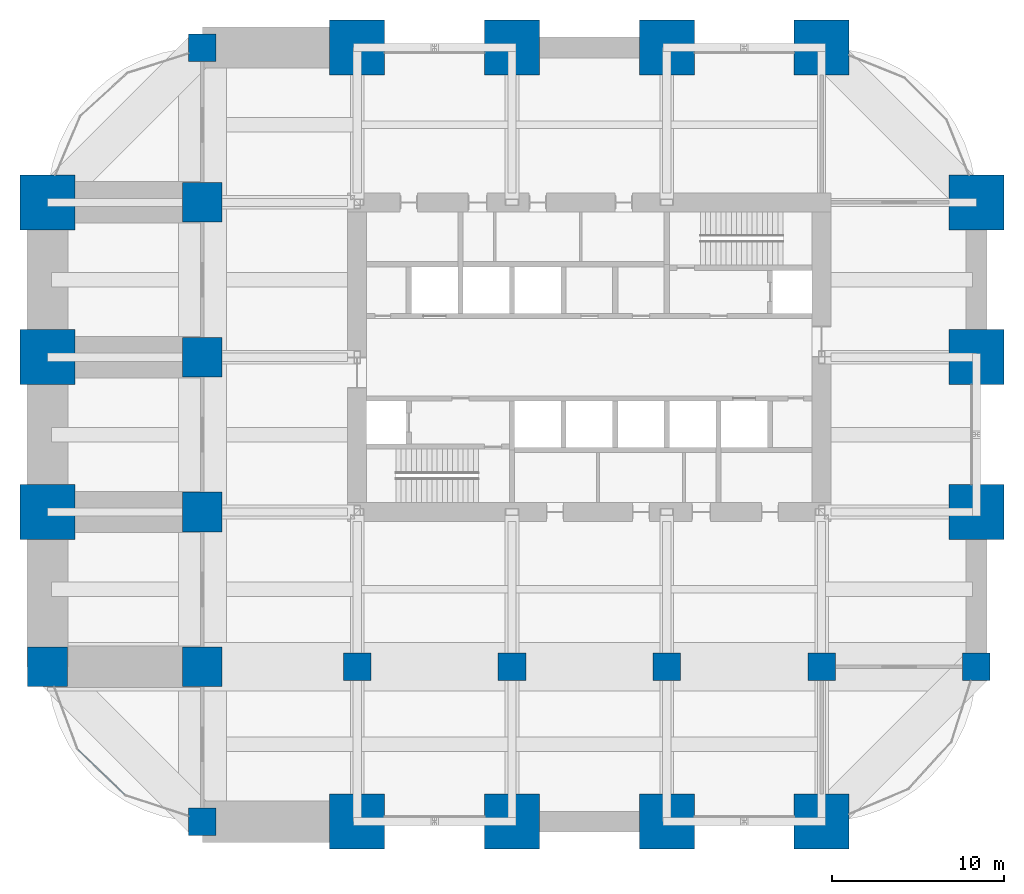
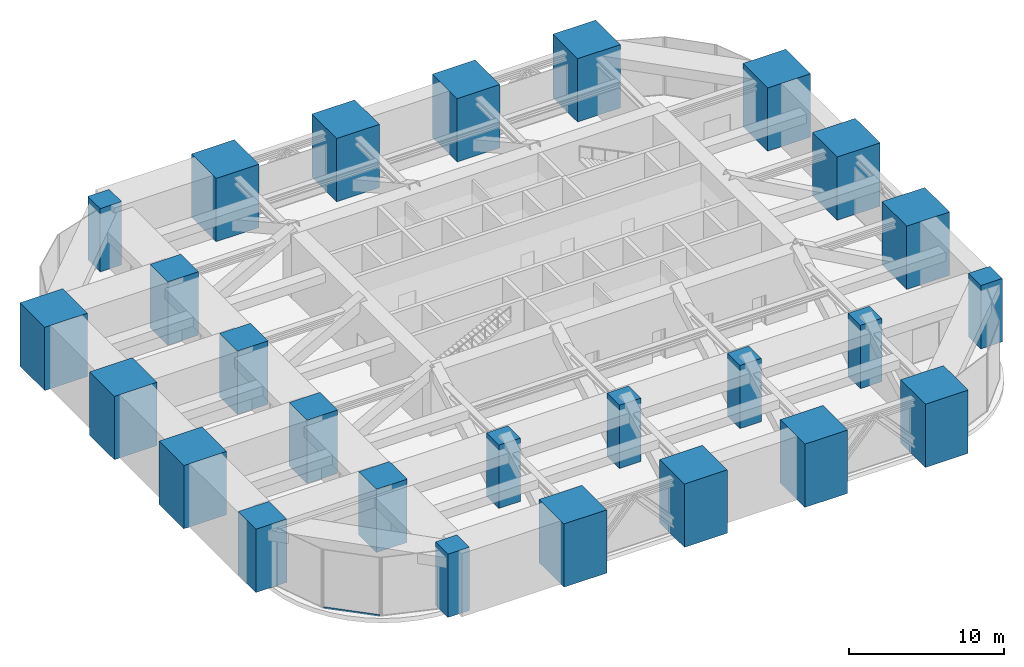
# One storey, part 1 of 32: 26 columns, 1 member, 1 element without a shape of its own.
"""IFC4 building model written with IfcOpenShell, lengths in metres."""

from ifc_helpers import new_model, si_unit, direction, frame, origin, origin_2d, place, context, subcontext, project, spatial, rectangle, hollow_rectangle, extrude, material, material_profile, profile_set, type_object, element, aggregate, save


model = new_model("IFC4")

# Units and contexts
model_context = context("Model", 3, precision=1e-05, world=origin(), true_north=direction((0.0, 1.0)))
body_context = subcontext(model_context, "Body", "Model", "MODEL_VIEW")
ifc_project = project(units=[si_unit("LENGTHUNIT", "METRE"), si_unit("AREAUNIT", "SQUARE_METRE"), si_unit("VOLUMEUNIT", "CUBIC_METRE"), si_unit("PLANEANGLEUNIT", "RADIAN"), si_unit("MASSUNIT", "GRAM", prefix="KILO")], contexts=[model_context])

# Site, building, storey
site_placement = place(None, origin())
site = spatial("IfcSite", under=ifc_project, at=site_placement, CompositionType="ELEMENT")
building_placement = place(site_placement, origin())
building = spatial("IfcBuilding", under=site, at=building_placement, Name="Zorevar Civic Tower", CompositionType="ELEMENT")
storey_placement = place(building_placement, frame((0.0, 0.0, 234.39990234375)))
storey = spatial("IfcBuildingStorey", under=building, at=storey_placement, Name="L57", CompositionType="ELEMENT", Elevation=234.39990234375)

# Columns
ifc_material_1 = material(Name="Concrete C50/60", Category="concrete")
ifc_material_profile_1 = material_profile(ifc_material_1, rectangle(XDim=1.60009765625, YDim=1.60009765625, at=origin_2d()), Name="RC 1600x1600")
ifc_profile_set_1 = profile_set([ifc_material_profile_1], Name="Concrete C50/60")
column_type_1 = type_object("IfcColumnType", Name="Column RC 1600x1600", PredefinedType="COLUMN", material=ifc_profile_set_1)
for number, where, z_axis, x_axis, name in (
    (1, (9.0, 0.0, 0.0), (0.0, 0.0, 1.0), (1.0, 0.0, 0.0), "Column 3A L57"),
    (2, (9.0, 45.0, 0.0), (0.0, 0.0, 1.0), (1.0, 0.0, 0.0), "Column 3F L57"),
    (3, (18.0, 9.0, 0.0), (0.0, 0.0, 1.0), (1.0, 0.0, 0.0), "Column 4B L57"),
    (4, (27.0, 9.0, 0.0), (0.0, 0.0, 1.0), (1.0, 0.0, 0.0), "Column 5B L57"),
    (5, (36.0, 9.0, 0.0), (0.0, 0.0, 1.0), (1.0, 0.0, 0.0), "Column 6B L57"),
    (6, (45.0, 9.0, 0.0), (0.0, 0.0, 1.0), (1.0, 0.0, 0.0), "Column 7B L57"),
    (7, (54.0, 9.0, 0.0), (0.0, 0.0, 1.0), (1.0, 0.0, 0.0), "Column 8B L57"),
):
    element("IfcColumn", number, at=place(storey_placement, frame(where, z_axis=z_axis, x_axis=x_axis)), inside=storey, type_object=column_type_1, Name=name, PredefinedType="COLUMN", context=body_context, shape_type="SweptSolid", body=[
        extrude(rectangle(XDim=1.60009765625, YDim=1.60009765625, at=origin_2d()), origin(), (0.0, 0.0, 1.0), 5.0),
    ])
ifc_material_2 = material(Name="Concrete C50/60", Category="concrete")
ifc_material_profile_2 = material_profile(ifc_material_2, rectangle(XDim=2.300048828125, YDim=2.300048828125, at=origin_2d()), Name="RC 2300x2300")
ifc_profile_set_2 = profile_set([ifc_material_profile_2], Name="Concrete C50/60")
column_type_2 = type_object("IfcColumnType", Name="Column RC 2300x2300", PredefinedType="COLUMN", material=ifc_profile_set_2)
for number, where, z_axis, x_axis, name in (
    (8, (0.0, 9.0, 0.0), (0.0, 0.0, 1.0), (1.0, 0.0, 0.0), "Column 2B L57"),
    (9, (9.0, 9.0, 0.0), (0.0, 0.0, 1.0), (1.0, 0.0, 0.0), "Column 3B L57"),
    (10, (9.0, 18.0, 0.0), (0.0, 0.0, 1.0), (1.0, 0.0, 0.0), "Column 3C L57"),
    (11, (9.0, 27.0, 0.0), (0.0, 0.0, 1.0), (1.0, 0.0, 0.0), "Column 3D L57"),
    (12, (9.0, 36.0, 0.0), (0.0, 0.0, 1.0), (1.0, 0.0, 0.0), "Column 3E L57"),
):
    element("IfcColumn", number, at=place(storey_placement, frame(where, z_axis=z_axis, x_axis=x_axis)), inside=storey, type_object=column_type_2, Name=name, PredefinedType="COLUMN", context=body_context, shape_type="SweptSolid", body=[
        extrude(rectangle(XDim=2.300048828125, YDim=2.300048828125, at=origin_2d()), origin(), (0.0, 0.0, 1.0), 5.0),
    ])
ifc_material_3 = material(Name="Concrete C50/60", Category="concrete")
ifc_material_profile_3 = material_profile(ifc_material_3, rectangle(XDim=3.199951171875, YDim=3.199951171875, at=origin_2d()), Name="RC 3200x3200")
ifc_profile_set_3 = profile_set([ifc_material_profile_3], Name="Concrete C50/60")
column_type_3 = type_object("IfcColumnType", Name="Mega column RC 3200x3200", PredefinedType="COLUMN", material=ifc_profile_set_3)
for number, where, z_axis, x_axis, name in (
    (13, (0.0, 18.0, 0.0), (0.0, 0.0, 1.0), (1.0, 0.0, 0.0), "Column 2C L57"),
    (14, (0.0, 27.0, 0.0), (0.0, 0.0, 1.0), (1.0, 0.0, 0.0), "Column 2D L57"),
    (15, (0.0, 36.0, 0.0), (0.0, 0.0, 1.0), (1.0, 0.0, 0.0), "Column 2E L57"),
    (16, (18.0, 0.0, 0.0), (0.0, 0.0, 1.0), (1.0, 0.0, 0.0), "Column 4A L57"),
    (17, (18.0, 45.0, 0.0), (0.0, 0.0, 1.0), (1.0, 0.0, 0.0), "Column 4F L57"),
    (18, (27.0, 0.0, 0.0), (0.0, 0.0, 1.0), (1.0, 0.0, 0.0), "Column 5A L57"),
    (19, (27.0, 45.0, 0.0), (0.0, 0.0, 1.0), (1.0, 0.0, 0.0), "Column 5F L57"),
    (20, (36.0, 0.0, 0.0), (0.0, 0.0, 1.0), (1.0, 0.0, 0.0), "Column 6A L57"),
    (21, (36.0, 45.0, 0.0), (0.0, 0.0, 1.0), (1.0, 0.0, 0.0), "Column 6F L57"),
    (22, (45.0, 0.0, 0.0), (0.0, 0.0, 1.0), (1.0, 0.0, 0.0), "Column 7A L57"),
    (23, (45.0, 45.0, 0.0), (0.0, 0.0, 1.0), (1.0, 0.0, 0.0), "Column 7F L57"),
    (24, (54.0, 18.0, 0.0), (0.0, 0.0, 1.0), (1.0, 0.0, 0.0), "Column 8C L57"),
    (25, (54.0, 27.0, 0.0), (0.0, 0.0, 1.0), (1.0, 0.0, 0.0), "Column 8D L57"),
    (26, (54.0, 36.0, 0.0), (0.0, 0.0, 1.0), (1.0, 0.0, 0.0), "Column 8E L57"),
):
    element("IfcColumn", number, at=place(storey_placement, frame(where, z_axis=z_axis, x_axis=x_axis)), inside=storey, type_object=column_type_3, Name=name, PredefinedType="COLUMN", context=body_context, shape_type="SweptSolid", body=[
        extrude(rectangle(XDim=3.199951171875, YDim=3.199951171875, at=origin_2d()), origin(), (0.0, 0.0, 1.0), 5.0),
    ])

# Curtain wall, member
ifc_material_4 = material(Name="Black aluminium louvres", Category="aluminium")
curtain_wall_type = type_object("IfcCurtainWallType", Name="Louvred curtain wall CW6 refuge", PredefinedType="NOTDEFINED", material=ifc_material_4)
curtain_wall_placement = place(storey_placement, origin())
curtain_wall = element("IfcCurtainWall", 27, at=curtain_wall_placement, inside=storey, type_object=curtain_wall_type, Name="CW6 L57", PredefinedType="NOTDEFINED")
ifc_material_5 = material(Name="Aluminium, black anodised", Category="aluminium")
ifc_material_profile_4 = material_profile(ifc_material_5, hollow_rectangle(XDim=0.06005859375, YDim=0.14990234375, WallThickness=0.00390625, at=origin_2d()), Name="AL 150x60x4")
ifc_profile_set_4 = profile_set([ifc_material_profile_4], Name="Aluminium, black anodised")
member_type = type_object("IfcMemberType", Name="CW6 transom AL 150x60x4", PredefinedType="USERDEFINED", material=ifc_profile_set_4)
member_placement = place(storey_placement, frame((1.772216796875, 4.181396484375, 0.030029296875), z_axis=(0.721248145135, -0.692676773928, 0.0), x_axis=(0.692676773928, 0.721248145135, 0.0)))
member = element("IfcMember", 28, at=member_placement, type_object=member_type, Name="CW6 sill transom", ObjectType="TRANSOM", PredefinedType="USERDEFINED", context=body_context, shape_type="SweptSolid", body=[
    extrude(hollow_rectangle(XDim=0.06005859375, YDim=0.14990234375, WallThickness=0.00390625, at=origin_2d()), origin(), (0.0, 0.0, 1.0), 3.751220703125),
])
aggregate(curtain_wall, [member])

save(model, "model.ifc")
